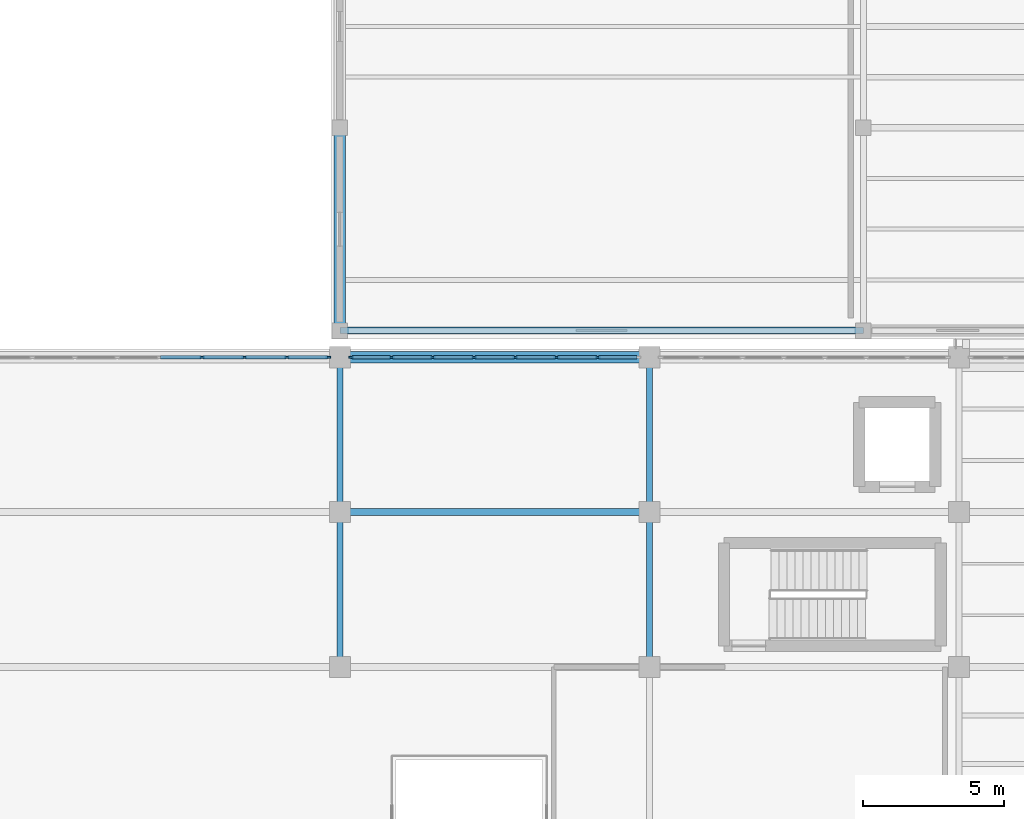
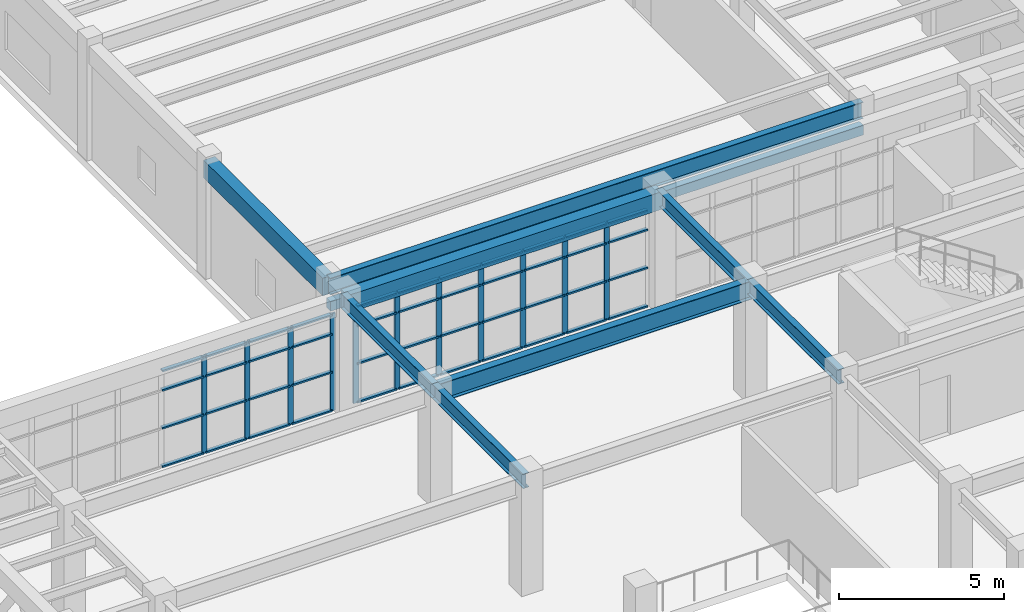
# One storey, part 43 of 85: 55 members, 9 beams, 2 elements without a shape of their own.
"""IFC4 building model written with IfcOpenShell, lengths in metres."""

from ifc_helpers import new_model, si_unit, direction, frame, origin, origin_2d, place, context, subcontext, project, spatial, rectangle, i_section, extrude, material, layer, layer_set, material_profile, profile_set, type_object, element, aggregate, save


model = new_model("IFC4")

# Units and contexts
model_context = context("Model", 3, precision=1e-05, world=origin(), true_north=direction((0.0, 1.0)))
body_context = subcontext(model_context, "Body", "Model", "MODEL_VIEW")
ifc_project = project(units=[si_unit("LENGTHUNIT", "METRE"), si_unit("AREAUNIT", "SQUARE_METRE"), si_unit("VOLUMEUNIT", "CUBIC_METRE"), si_unit("PLANEANGLEUNIT", "RADIAN"), si_unit("MASSUNIT", "GRAM", prefix="KILO")], contexts=[model_context])

# Site, building, storey
site_placement = place(None, origin())
site = spatial("IfcSite", under=ifc_project, at=site_placement, CompositionType="ELEMENT")
building_placement = place(site_placement, origin())
building = spatial("IfcBuilding", under=site, at=building_placement, Name="Candilejo Ridge Gondola Terminal", CompositionType="ELEMENT")
storey_placement = place(building_placement, frame((0.0, 0.0, 4.5)))
storey = spatial("IfcBuildingStorey", under=building, at=storey_placement, Name="L01", CompositionType="ELEMENT", Elevation=4.5)

# Curtain wall, members
ifc_material_1 = material(Name="Anodised aluminium AA 6063-T6", Category="aluminium")
ifc_layer_1 = layer(ifc_material_1, 0.169921875)
ifc_layer_set_1 = layer_set([ifc_layer_1], Name="ARC-CW-HALL-3800-1205X359")
curtain_wall_type_1 = type_object("IfcCurtainWallType", Name="ARC-CW-HALL-3800-1205X359", PredefinedType="NOTDEFINED", material=ifc_layer_set_1)
curtain_wall_1_placement = place(storey_placement, origin())
curtain_wall_1 = element("IfcCurtainWall", 1, at=curtain_wall_1_placement, inside=storey, type_object=curtain_wall_type_1, Name="Curtain wall V4 L01-125", PredefinedType="NOTDEFINED")
ifc_material_2 = material(Name="Anodised aluminium AA 6063-T6", Category="aluminium")
ifc_material_profile_1 = material_profile(ifc_material_2, rectangle(XDim=0.06494140625, YDim=0.179931640625, at=origin_2d()))
ifc_profile_set_1 = profile_set([ifc_material_profile_1], Name="Anodised aluminium AA 6063-T6")
member_type_1 = type_object("IfcMemberType", Name="ARC-CW-MULLION-180", PredefinedType="MULLION", material=ifc_profile_set_1)
member_1_placement = place(storey_placement, frame((145.106201171875, 47.699951171875, 0.0), z_axis=(0.0, 0.0, 1.0), x_axis=(0.0, 1.0, 0.0)))
member_1 = element("IfcMember", 2, at=member_1_placement, type_object=member_type_1, Name="CW-120X35 mullion 6", PredefinedType="MULLION", context=body_context, shape_type="SweptSolid", body=[
    extrude(rectangle(XDim=0.06494140625, YDim=0.179931640625, at=origin_2d()), origin(), (0.0, 0.0, 1.0), 3.590087890625),
])
member_2_placement = place(storey_placement, frame((146.612548828125, 47.699951171875, 0.0), z_axis=(0.0, 0.0, 1.0), x_axis=(0.0, 1.0, 0.0)))
member_2 = element("IfcMember", 3, at=member_2_placement, type_object=member_type_1, Name="CW-120X35 mullion 7", PredefinedType="MULLION", context=body_context, shape_type="SweptSolid", body=[
    extrude(rectangle(XDim=0.06494140625, YDim=0.179931640625, at=origin_2d()), origin(), (0.0, 0.0, 1.0), 3.590087890625),
])
member_3_placement = place(storey_placement, frame((148.11865234375, 47.699951171875, 0.0), z_axis=(0.0, 0.0, 1.0), x_axis=(0.0, 1.0, 0.0)))
member_3 = element("IfcMember", 4, at=member_3_placement, type_object=member_type_1, Name="CW-120X35 mullion 8", PredefinedType="MULLION", context=body_context, shape_type="SweptSolid", body=[
    extrude(rectangle(XDim=0.06494140625, YDim=0.179931640625, at=origin_2d()), origin(), (0.0, 0.0, 1.0), 3.590087890625),
])
member_4_placement = place(storey_placement, frame((149.592529296875, 47.699951171875, 0.0), z_axis=(0.0, 0.0, 1.0), x_axis=(0.0, 1.0, 0.0)))
member_4 = element("IfcMember", 5, at=member_4_placement, type_object=member_type_1, Name="CW-120X35 mullion 9", PredefinedType="MULLION", context=body_context, shape_type="SweptSolid", body=[
    extrude(rectangle(XDim=0.06494140625, YDim=0.179931640625, at=origin_2d()), origin(), (0.0, 0.0, 1.0), 3.590087890625),
])

ifc_material_3 = material(Name="Anodised aluminium AA 6063-T6", Category="aluminium")
ifc_layer_2 = layer(ifc_material_3, 0.169921875)
ifc_layer_set_2 = layer_set([ifc_layer_2], Name="ARC-CW-HALL-3800-1025X359")
curtain_wall_type_2 = type_object("IfcCurtainWallType", Name="ARC-CW-HALL-3800-1025X359", PredefinedType="NOTDEFINED", material=ifc_layer_set_2)
curtain_wall_2_placement = place(storey_placement, origin())
curtain_wall_2 = element("IfcCurtainWall", 6, at=curtain_wall_2_placement, inside=storey, type_object=curtain_wall_type_2, Name="Curtain wall V4 L01-127", PredefinedType="NOTDEFINED")
member_5_placement = place(storey_placement, frame((150.407470703125, 47.699951171875, 0.0), z_axis=(0.0, 0.0, 1.0), x_axis=(0.0, 1.0, 0.0)))
member_5 = element("IfcMember", 7, at=member_5_placement, type_object=member_type_1, Name="CW-102X35 mullion 1", PredefinedType="MULLION", context=body_context, shape_type="SweptSolid", body=[
    extrude(rectangle(XDim=0.06494140625, YDim=0.179931640625, at=origin_2d()), origin(), (0.0, 0.0, 1.0), 3.590087890625),
])
member_6_placement = place(storey_placement, frame((151.83935546875, 47.699951171875, 0.0), z_axis=(0.0, 0.0, 1.0), x_axis=(0.0, 1.0, 0.0)))
member_6 = element("IfcMember", 8, at=member_6_placement, type_object=member_type_1, Name="CW-102X35 mullion 2", PredefinedType="MULLION", context=body_context, shape_type="SweptSolid", body=[
    extrude(rectangle(XDim=0.06494140625, YDim=0.179931640625, at=origin_2d()), origin(), (0.0, 0.0, 1.0), 3.590087890625),
])
member_7_placement = place(storey_placement, frame((153.303466796875, 47.699951171875, 0.0), z_axis=(0.0, 0.0, 1.0), x_axis=(0.0, 1.0, 0.0)))
member_7 = element("IfcMember", 9, at=member_7_placement, type_object=member_type_1, Name="CW-102X35 mullion 3", PredefinedType="MULLION", context=body_context, shape_type="SweptSolid", body=[
    extrude(rectangle(XDim=0.06494140625, YDim=0.179931640625, at=origin_2d()), origin(), (0.0, 0.0, 1.0), 3.590087890625),
])
member_8_placement = place(storey_placement, frame((154.767822265625, 47.699951171875, 0.0), z_axis=(0.0, 0.0, 1.0), x_axis=(0.0, 1.0, 0.0)))
member_8 = element("IfcMember", 10, at=member_8_placement, type_object=member_type_1, Name="CW-102X35 mullion 4", PredefinedType="MULLION", context=body_context, shape_type="SweptSolid", body=[
    extrude(rectangle(XDim=0.06494140625, YDim=0.179931640625, at=origin_2d()), origin(), (0.0, 0.0, 1.0), 3.590087890625),
])
member_9_placement = place(storey_placement, frame((156.232177734375, 47.699951171875, 0.0), z_axis=(0.0, 0.0, 1.0), x_axis=(0.0, 1.0, 0.0)))
member_9 = element("IfcMember", 11, at=member_9_placement, type_object=member_type_1, Name="CW-102X35 mullion 5", PredefinedType="MULLION", context=body_context, shape_type="SweptSolid", body=[
    extrude(rectangle(XDim=0.06494140625, YDim=0.179931640625, at=origin_2d()), origin(), (0.0, 0.0, 1.0), 3.590087890625),
])
member_10_placement = place(storey_placement, frame((157.696533203125, 47.699951171875, 0.0), z_axis=(0.0, 0.0, 1.0), x_axis=(0.0, 1.0, 0.0)))
member_10 = element("IfcMember", 12, at=member_10_placement, type_object=member_type_1, Name="CW-102X35 mullion 6", PredefinedType="MULLION", context=body_context, shape_type="SweptSolid", body=[
    extrude(rectangle(XDim=0.06494140625, YDim=0.179931640625, at=origin_2d()), origin(), (0.0, 0.0, 1.0), 3.590087890625),
])
member_11_placement = place(storey_placement, frame((159.16064453125, 47.699951171875, 0.0), z_axis=(0.0, 0.0, 1.0), x_axis=(0.0, 1.0, 0.0)))
member_11 = element("IfcMember", 13, at=member_11_placement, type_object=member_type_1, Name="CW-102X35 mullion 7", PredefinedType="MULLION", context=body_context, shape_type="SweptSolid", body=[
    extrude(rectangle(XDim=0.06494140625, YDim=0.179931640625, at=origin_2d()), origin(), (0.0, 0.0, 1.0), 3.590087890625),
])

# Member
ifc_material_4 = material(Name="Anodised aluminium AA 6063-T6", Category="aluminium")
ifc_material_profile_2 = material_profile(ifc_material_4, rectangle(XDim=0.1298828125, YDim=0.06005859375, at=origin_2d()))
ifc_profile_set_2 = profile_set([ifc_material_profile_2], Name="Anodised aluminium AA 6063-T6")
member_type_2 = type_object("IfcMemberType", Name="ARC-CW-TRANSOM-130", PredefinedType="USERDEFINED", material=ifc_profile_set_2)
member_12_placement = place(storey_placement, frame((143.632568359375, 47.699951171875, 0.030029296875), z_axis=(1.0, 0.0, 0.0), x_axis=(0.0, 1.0, 0.0)))
member_12 = element("IfcMember", 14, at=member_12_placement, type_object=member_type_2, Name="CW-120X35 transom 5.1", ObjectType="TRANSOM", PredefinedType="USERDEFINED", context=body_context, shape_type="SweptSolid", body=[
    extrude(rectangle(XDim=0.1298828125, YDim=0.06005859375, at=origin_2d()), origin(), (0.0, 0.0, 1.0), 1.441162109375),
])

member_13_placement = place(storey_placement, frame((143.632568359375, 47.699951171875, 1.449951171875), z_axis=(1.0, 0.0, 0.0), x_axis=(0.0, 1.0, 0.0)))
member_13 = element("IfcMember", 15, at=member_13_placement, type_object=member_type_2, Name="CW-120X35 transom 5.2", ObjectType="TRANSOM", PredefinedType="USERDEFINED", context=body_context, shape_type="SweptSolid", body=[
    extrude(rectangle(XDim=0.1298828125, YDim=0.06005859375, at=origin_2d()), origin(), (0.0, 0.0, 1.0), 1.441162109375),
])

member_14_placement = place(storey_placement, frame((143.632568359375, 47.699951171875, 2.85009765625), z_axis=(1.0, 0.0, 0.0), x_axis=(0.0, 1.0, 0.0)))
member_14 = element("IfcMember", 16, at=member_14_placement, type_object=member_type_2, Name="CW-120X35 transom 5.3", ObjectType="TRANSOM", PredefinedType="USERDEFINED", context=body_context, shape_type="SweptSolid", body=[
    extrude(rectangle(XDim=0.1298828125, YDim=0.06005859375, at=origin_2d()), origin(), (0.0, 0.0, 1.0), 1.441162109375),
])

member_15_placement = place(storey_placement, frame((143.632568359375, 47.699951171875, 3.56005859375), z_axis=(1.0, 0.0, 0.0), x_axis=(0.0, 1.0, 0.0)))
member_15 = element("IfcMember", 17, at=member_15_placement, type_object=member_type_2, Name="CW-120X35 transom 5.4", ObjectType="TRANSOM", PredefinedType="USERDEFINED", context=body_context, shape_type="SweptSolid", body=[
    extrude(rectangle(XDim=0.1298828125, YDim=0.06005859375, at=origin_2d()), origin(), (0.0, 0.0, 1.0), 1.441162109375),
])

member_16_placement = place(storey_placement, frame((145.138671875, 47.699951171875, 0.030029296875), z_axis=(1.0, 0.0, 0.0), x_axis=(0.0, 1.0, 0.0)))
member_16 = element("IfcMember", 18, at=member_16_placement, type_object=member_type_2, Name="CW-120X35 transom 6.1", ObjectType="TRANSOM", PredefinedType="USERDEFINED", context=body_context, shape_type="SweptSolid", body=[
    extrude(rectangle(XDim=0.1298828125, YDim=0.06005859375, at=origin_2d()), origin(), (0.0, 0.0, 1.0), 1.44140625),
])

member_17_placement = place(storey_placement, frame((145.138671875, 47.699951171875, 1.449951171875), z_axis=(1.0, 0.0, 0.0), x_axis=(0.0, 1.0, 0.0)))
member_17 = element("IfcMember", 19, at=member_17_placement, type_object=member_type_2, Name="CW-120X35 transom 6.2", ObjectType="TRANSOM", PredefinedType="USERDEFINED", context=body_context, shape_type="SweptSolid", body=[
    extrude(rectangle(XDim=0.1298828125, YDim=0.06005859375, at=origin_2d()), origin(), (0.0, 0.0, 1.0), 1.44140625),
])

member_18_placement = place(storey_placement, frame((145.138671875, 47.699951171875, 2.85009765625), z_axis=(1.0, 0.0, 0.0), x_axis=(0.0, 1.0, 0.0)))
member_18 = element("IfcMember", 20, at=member_18_placement, type_object=member_type_2, Name="CW-120X35 transom 6.3", ObjectType="TRANSOM", PredefinedType="USERDEFINED", context=body_context, shape_type="SweptSolid", body=[
    extrude(rectangle(XDim=0.1298828125, YDim=0.06005859375, at=origin_2d()), origin(), (0.0, 0.0, 1.0), 1.44140625),
])

member_19_placement = place(storey_placement, frame((145.138671875, 47.699951171875, 3.56005859375), z_axis=(1.0, 0.0, 0.0), x_axis=(0.0, 1.0, 0.0)))
member_19 = element("IfcMember", 21, at=member_19_placement, type_object=member_type_2, Name="CW-120X35 transom 6.4", ObjectType="TRANSOM", PredefinedType="USERDEFINED", context=body_context, shape_type="SweptSolid", body=[
    extrude(rectangle(XDim=0.1298828125, YDim=0.06005859375, at=origin_2d()), origin(), (0.0, 0.0, 1.0), 1.44140625),
])

member_20_placement = place(storey_placement, frame((146.64501953125, 47.699951171875, 0.030029296875), z_axis=(1.0, 0.0, 0.0), x_axis=(0.0, 1.0, 0.0)))
member_20 = element("IfcMember", 22, at=member_20_placement, type_object=member_type_2, Name="CW-120X35 transom 7.1", ObjectType="TRANSOM", PredefinedType="USERDEFINED", context=body_context, shape_type="SweptSolid", body=[
    extrude(rectangle(XDim=0.1298828125, YDim=0.06005859375, at=origin_2d()), origin(), (0.0, 0.0, 1.0), 1.441162109375),
])

member_21_placement = place(storey_placement, frame((146.64501953125, 47.699951171875, 1.449951171875), z_axis=(1.0, 0.0, 0.0), x_axis=(0.0, 1.0, 0.0)))
member_21 = element("IfcMember", 23, at=member_21_placement, type_object=member_type_2, Name="CW-120X35 transom 7.2", ObjectType="TRANSOM", PredefinedType="USERDEFINED", context=body_context, shape_type="SweptSolid", body=[
    extrude(rectangle(XDim=0.1298828125, YDim=0.06005859375, at=origin_2d()), origin(), (0.0, 0.0, 1.0), 1.441162109375),
])

member_22_placement = place(storey_placement, frame((146.64501953125, 47.699951171875, 2.85009765625), z_axis=(1.0, 0.0, 0.0), x_axis=(0.0, 1.0, 0.0)))
member_22 = element("IfcMember", 24, at=member_22_placement, type_object=member_type_2, Name="CW-120X35 transom 7.3", ObjectType="TRANSOM", PredefinedType="USERDEFINED", context=body_context, shape_type="SweptSolid", body=[
    extrude(rectangle(XDim=0.1298828125, YDim=0.06005859375, at=origin_2d()), origin(), (0.0, 0.0, 1.0), 1.441162109375),
])

member_23_placement = place(storey_placement, frame((146.64501953125, 47.699951171875, 3.56005859375), z_axis=(1.0, 0.0, 0.0), x_axis=(0.0, 1.0, 0.0)))
member_23 = element("IfcMember", 25, at=member_23_placement, type_object=member_type_2, Name="CW-120X35 transom 7.4", ObjectType="TRANSOM", PredefinedType="USERDEFINED", context=body_context, shape_type="SweptSolid", body=[
    extrude(rectangle(XDim=0.1298828125, YDim=0.06005859375, at=origin_2d()), origin(), (0.0, 0.0, 1.0), 1.441162109375),
])

member_24_placement = place(storey_placement, frame((148.1513671875, 47.699951171875, 0.030029296875), z_axis=(1.0, 0.0, 0.0), x_axis=(0.0, 1.0, 0.0)))
member_24 = element("IfcMember", 26, at=member_24_placement, type_object=member_type_2, Name="CW-120X35 transom 8.1", ObjectType="TRANSOM", PredefinedType="USERDEFINED", context=body_context, shape_type="SweptSolid", body=[
    extrude(rectangle(XDim=0.1298828125, YDim=0.06005859375, at=origin_2d()), origin(), (0.0, 0.0, 1.0), 1.40869140625),
])

member_25_placement = place(storey_placement, frame((148.1513671875, 47.699951171875, 1.449951171875), z_axis=(1.0, 0.0, 0.0), x_axis=(0.0, 1.0, 0.0)))
member_25 = element("IfcMember", 27, at=member_25_placement, type_object=member_type_2, Name="CW-120X35 transom 8.2", ObjectType="TRANSOM", PredefinedType="USERDEFINED", context=body_context, shape_type="SweptSolid", body=[
    extrude(rectangle(XDim=0.1298828125, YDim=0.06005859375, at=origin_2d()), origin(), (0.0, 0.0, 1.0), 1.40869140625),
])

member_26_placement = place(storey_placement, frame((148.1513671875, 47.699951171875, 2.85009765625), z_axis=(1.0, 0.0, 0.0), x_axis=(0.0, 1.0, 0.0)))
member_26 = element("IfcMember", 28, at=member_26_placement, type_object=member_type_2, Name="CW-120X35 transom 8.3", ObjectType="TRANSOM", PredefinedType="USERDEFINED", context=body_context, shape_type="SweptSolid", body=[
    extrude(rectangle(XDim=0.1298828125, YDim=0.06005859375, at=origin_2d()), origin(), (0.0, 0.0, 1.0), 1.40869140625),
])

member_27_placement = place(storey_placement, frame((148.1513671875, 47.699951171875, 3.56005859375), z_axis=(1.0, 0.0, 0.0), x_axis=(0.0, 1.0, 0.0)))
member_27 = element("IfcMember", 29, at=member_27_placement, type_object=member_type_2, Name="CW-120X35 transom 8.4", ObjectType="TRANSOM", PredefinedType="USERDEFINED", context=body_context, shape_type="SweptSolid", body=[
    extrude(rectangle(XDim=0.1298828125, YDim=0.06005859375, at=origin_2d()), origin(), (0.0, 0.0, 1.0), 1.40869140625),
])

aggregate(curtain_wall_1, [member_1, member_2, member_3, member_4, member_12, member_13, member_14, member_15, member_16, member_17, member_18, member_19, member_20, member_21, member_22, member_23, member_24, member_25, member_26, member_27])

member_28_placement = place(storey_placement, frame((150.43994140625, 47.699951171875, 0.030029296875), z_axis=(1.0, 0.0, 0.0), x_axis=(0.0, 1.0, 0.0)))
member_28 = element("IfcMember", 30, at=member_28_placement, type_object=member_type_2, Name="CW-102X35 transom 1.1", ObjectType="TRANSOM", PredefinedType="USERDEFINED", context=body_context, shape_type="SweptSolid", body=[
    extrude(rectangle(XDim=0.1298828125, YDim=0.06005859375, at=origin_2d()), origin(), (0.0, 0.0, 1.0), 1.366943359375),
])

member_29_placement = place(storey_placement, frame((150.43994140625, 47.699951171875, 1.449951171875), z_axis=(1.0, 0.0, 0.0), x_axis=(0.0, 1.0, 0.0)))
member_29 = element("IfcMember", 31, at=member_29_placement, type_object=member_type_2, Name="CW-102X35 transom 1.2", ObjectType="TRANSOM", PredefinedType="USERDEFINED", context=body_context, shape_type="SweptSolid", body=[
    extrude(rectangle(XDim=0.1298828125, YDim=0.06005859375, at=origin_2d()), origin(), (0.0, 0.0, 1.0), 1.366943359375),
])

member_30_placement = place(storey_placement, frame((150.43994140625, 47.699951171875, 2.85009765625), z_axis=(1.0, 0.0, 0.0), x_axis=(0.0, 1.0, 0.0)))
member_30 = element("IfcMember", 32, at=member_30_placement, type_object=member_type_2, Name="CW-102X35 transom 1.3", ObjectType="TRANSOM", PredefinedType="USERDEFINED", context=body_context, shape_type="SweptSolid", body=[
    extrude(rectangle(XDim=0.1298828125, YDim=0.06005859375, at=origin_2d()), origin(), (0.0, 0.0, 1.0), 1.366943359375),
])

member_31_placement = place(storey_placement, frame((150.43994140625, 47.699951171875, 3.56005859375), z_axis=(1.0, 0.0, 0.0), x_axis=(0.0, 1.0, 0.0)))
member_31 = element("IfcMember", 33, at=member_31_placement, type_object=member_type_2, Name="CW-102X35 transom 1.4", ObjectType="TRANSOM", PredefinedType="USERDEFINED", context=body_context, shape_type="SweptSolid", body=[
    extrude(rectangle(XDim=0.1298828125, YDim=0.06005859375, at=origin_2d()), origin(), (0.0, 0.0, 1.0), 1.366943359375),
])

member_32_placement = place(storey_placement, frame((151.871826171875, 47.699951171875, 0.030029296875), z_axis=(1.0, 0.0, 0.0), x_axis=(0.0, 1.0, 0.0)))
member_32 = element("IfcMember", 34, at=member_32_placement, type_object=member_type_2, Name="CW-102X35 transom 2.1", ObjectType="TRANSOM", PredefinedType="USERDEFINED", context=body_context, shape_type="SweptSolid", body=[
    extrude(rectangle(XDim=0.1298828125, YDim=0.06005859375, at=origin_2d()), origin(), (0.0, 0.0, 1.0), 1.399169921875),
])

member_33_placement = place(storey_placement, frame((151.871826171875, 47.699951171875, 1.449951171875), z_axis=(1.0, 0.0, 0.0), x_axis=(0.0, 1.0, 0.0)))
member_33 = element("IfcMember", 35, at=member_33_placement, type_object=member_type_2, Name="CW-102X35 transom 2.2", ObjectType="TRANSOM", PredefinedType="USERDEFINED", context=body_context, shape_type="SweptSolid", body=[
    extrude(rectangle(XDim=0.1298828125, YDim=0.06005859375, at=origin_2d()), origin(), (0.0, 0.0, 1.0), 1.399169921875),
])

member_34_placement = place(storey_placement, frame((151.871826171875, 47.699951171875, 2.85009765625), z_axis=(1.0, 0.0, 0.0), x_axis=(0.0, 1.0, 0.0)))
member_34 = element("IfcMember", 36, at=member_34_placement, type_object=member_type_2, Name="CW-102X35 transom 2.3", ObjectType="TRANSOM", PredefinedType="USERDEFINED", context=body_context, shape_type="SweptSolid", body=[
    extrude(rectangle(XDim=0.1298828125, YDim=0.06005859375, at=origin_2d()), origin(), (0.0, 0.0, 1.0), 1.399169921875),
])

member_35_placement = place(storey_placement, frame((151.871826171875, 47.699951171875, 3.56005859375), z_axis=(1.0, 0.0, 0.0), x_axis=(0.0, 1.0, 0.0)))
member_35 = element("IfcMember", 37, at=member_35_placement, type_object=member_type_2, Name="CW-102X35 transom 2.4", ObjectType="TRANSOM", PredefinedType="USERDEFINED", context=body_context, shape_type="SweptSolid", body=[
    extrude(rectangle(XDim=0.1298828125, YDim=0.06005859375, at=origin_2d()), origin(), (0.0, 0.0, 1.0), 1.399169921875),
])

member_36_placement = place(storey_placement, frame((153.336181640625, 47.699951171875, 0.030029296875), z_axis=(1.0, 0.0, 0.0), x_axis=(0.0, 1.0, 0.0)))
member_36 = element("IfcMember", 38, at=member_36_placement, type_object=member_type_2, Name="CW-102X35 transom 3.1", ObjectType="TRANSOM", PredefinedType="USERDEFINED", context=body_context, shape_type="SweptSolid", body=[
    extrude(rectangle(XDim=0.1298828125, YDim=0.06005859375, at=origin_2d()), origin(), (0.0, 0.0, 1.0), 1.399169921875),
])

member_37_placement = place(storey_placement, frame((153.336181640625, 47.699951171875, 1.449951171875), z_axis=(1.0, 0.0, 0.0), x_axis=(0.0, 1.0, 0.0)))
member_37 = element("IfcMember", 39, at=member_37_placement, type_object=member_type_2, Name="CW-102X35 transom 3.2", ObjectType="TRANSOM", PredefinedType="USERDEFINED", context=body_context, shape_type="SweptSolid", body=[
    extrude(rectangle(XDim=0.1298828125, YDim=0.06005859375, at=origin_2d()), origin(), (0.0, 0.0, 1.0), 1.399169921875),
])

member_38_placement = place(storey_placement, frame((153.336181640625, 47.699951171875, 2.85009765625), z_axis=(1.0, 0.0, 0.0), x_axis=(0.0, 1.0, 0.0)))
member_38 = element("IfcMember", 40, at=member_38_placement, type_object=member_type_2, Name="CW-102X35 transom 3.3", ObjectType="TRANSOM", PredefinedType="USERDEFINED", context=body_context, shape_type="SweptSolid", body=[
    extrude(rectangle(XDim=0.1298828125, YDim=0.06005859375, at=origin_2d()), origin(), (0.0, 0.0, 1.0), 1.399169921875),
])

member_39_placement = place(storey_placement, frame((153.336181640625, 47.699951171875, 3.56005859375), z_axis=(1.0, 0.0, 0.0), x_axis=(0.0, 1.0, 0.0)))
member_39 = element("IfcMember", 41, at=member_39_placement, type_object=member_type_2, Name="CW-102X35 transom 3.4", ObjectType="TRANSOM", PredefinedType="USERDEFINED", context=body_context, shape_type="SweptSolid", body=[
    extrude(rectangle(XDim=0.1298828125, YDim=0.06005859375, at=origin_2d()), origin(), (0.0, 0.0, 1.0), 1.399169921875),
])

member_40_placement = place(storey_placement, frame((154.80029296875, 47.699951171875, 0.030029296875), z_axis=(1.0, 0.0, 0.0), x_axis=(0.0, 1.0, 0.0)))
member_40 = element("IfcMember", 42, at=member_40_placement, type_object=member_type_2, Name="CW-102X35 transom 4.1", ObjectType="TRANSOM", PredefinedType="USERDEFINED", context=body_context, shape_type="SweptSolid", body=[
    extrude(rectangle(XDim=0.1298828125, YDim=0.06005859375, at=origin_2d()), origin(), (0.0, 0.0, 1.0), 1.3994140625),
])

member_41_placement = place(storey_placement, frame((154.80029296875, 47.699951171875, 1.449951171875), z_axis=(1.0, 0.0, 0.0), x_axis=(0.0, 1.0, 0.0)))
member_41 = element("IfcMember", 43, at=member_41_placement, type_object=member_type_2, Name="CW-102X35 transom 4.2", ObjectType="TRANSOM", PredefinedType="USERDEFINED", context=body_context, shape_type="SweptSolid", body=[
    extrude(rectangle(XDim=0.1298828125, YDim=0.06005859375, at=origin_2d()), origin(), (0.0, 0.0, 1.0), 1.3994140625),
])

member_42_placement = place(storey_placement, frame((154.80029296875, 47.699951171875, 2.85009765625), z_axis=(1.0, 0.0, 0.0), x_axis=(0.0, 1.0, 0.0)))
member_42 = element("IfcMember", 44, at=member_42_placement, type_object=member_type_2, Name="CW-102X35 transom 4.3", ObjectType="TRANSOM", PredefinedType="USERDEFINED", context=body_context, shape_type="SweptSolid", body=[
    extrude(rectangle(XDim=0.1298828125, YDim=0.06005859375, at=origin_2d()), origin(), (0.0, 0.0, 1.0), 1.3994140625),
])

member_43_placement = place(storey_placement, frame((154.80029296875, 47.699951171875, 3.56005859375), z_axis=(1.0, 0.0, 0.0), x_axis=(0.0, 1.0, 0.0)))
member_43 = element("IfcMember", 45, at=member_43_placement, type_object=member_type_2, Name="CW-102X35 transom 4.4", ObjectType="TRANSOM", PredefinedType="USERDEFINED", context=body_context, shape_type="SweptSolid", body=[
    extrude(rectangle(XDim=0.1298828125, YDim=0.06005859375, at=origin_2d()), origin(), (0.0, 0.0, 1.0), 1.3994140625),
])

member_44_placement = place(storey_placement, frame((156.2646484375, 47.699951171875, 0.030029296875), z_axis=(1.0, 0.0, 0.0), x_axis=(0.0, 1.0, 0.0)))
member_44 = element("IfcMember", 46, at=member_44_placement, type_object=member_type_2, Name="CW-102X35 transom 5.1", ObjectType="TRANSOM", PredefinedType="USERDEFINED", context=body_context, shape_type="SweptSolid", body=[
    extrude(rectangle(XDim=0.1298828125, YDim=0.06005859375, at=origin_2d()), origin(), (0.0, 0.0, 1.0), 1.399169921875),
])

member_45_placement = place(storey_placement, frame((156.2646484375, 47.699951171875, 1.449951171875), z_axis=(1.0, 0.0, 0.0), x_axis=(0.0, 1.0, 0.0)))
member_45 = element("IfcMember", 47, at=member_45_placement, type_object=member_type_2, Name="CW-102X35 transom 5.2", ObjectType="TRANSOM", PredefinedType="USERDEFINED", context=body_context, shape_type="SweptSolid", body=[
    extrude(rectangle(XDim=0.1298828125, YDim=0.06005859375, at=origin_2d()), origin(), (0.0, 0.0, 1.0), 1.399169921875),
])

member_46_placement = place(storey_placement, frame((156.2646484375, 47.699951171875, 2.85009765625), z_axis=(1.0, 0.0, 0.0), x_axis=(0.0, 1.0, 0.0)))
member_46 = element("IfcMember", 48, at=member_46_placement, type_object=member_type_2, Name="CW-102X35 transom 5.3", ObjectType="TRANSOM", PredefinedType="USERDEFINED", context=body_context, shape_type="SweptSolid", body=[
    extrude(rectangle(XDim=0.1298828125, YDim=0.06005859375, at=origin_2d()), origin(), (0.0, 0.0, 1.0), 1.399169921875),
])

member_47_placement = place(storey_placement, frame((156.2646484375, 47.699951171875, 3.56005859375), z_axis=(1.0, 0.0, 0.0), x_axis=(0.0, 1.0, 0.0)))
member_47 = element("IfcMember", 49, at=member_47_placement, type_object=member_type_2, Name="CW-102X35 transom 5.4", ObjectType="TRANSOM", PredefinedType="USERDEFINED", context=body_context, shape_type="SweptSolid", body=[
    extrude(rectangle(XDim=0.1298828125, YDim=0.06005859375, at=origin_2d()), origin(), (0.0, 0.0, 1.0), 1.399169921875),
])

member_48_placement = place(storey_placement, frame((157.72900390625, 47.699951171875, 0.030029296875), z_axis=(1.0, 0.0, 0.0), x_axis=(0.0, 1.0, 0.0)))
member_48 = element("IfcMember", 50, at=member_48_placement, type_object=member_type_2, Name="CW-102X35 transom 6.1", ObjectType="TRANSOM", PredefinedType="USERDEFINED", context=body_context, shape_type="SweptSolid", body=[
    extrude(rectangle(XDim=0.1298828125, YDim=0.06005859375, at=origin_2d()), origin(), (0.0, 0.0, 1.0), 1.399169921875),
])

member_49_placement = place(storey_placement, frame((157.72900390625, 47.699951171875, 1.449951171875), z_axis=(1.0, 0.0, 0.0), x_axis=(0.0, 1.0, 0.0)))
member_49 = element("IfcMember", 51, at=member_49_placement, type_object=member_type_2, Name="CW-102X35 transom 6.2", ObjectType="TRANSOM", PredefinedType="USERDEFINED", context=body_context, shape_type="SweptSolid", body=[
    extrude(rectangle(XDim=0.1298828125, YDim=0.06005859375, at=origin_2d()), origin(), (0.0, 0.0, 1.0), 1.399169921875),
])

member_50_placement = place(storey_placement, frame((157.72900390625, 47.699951171875, 2.85009765625), z_axis=(1.0, 0.0, 0.0), x_axis=(0.0, 1.0, 0.0)))
member_50 = element("IfcMember", 52, at=member_50_placement, type_object=member_type_2, Name="CW-102X35 transom 6.3", ObjectType="TRANSOM", PredefinedType="USERDEFINED", context=body_context, shape_type="SweptSolid", body=[
    extrude(rectangle(XDim=0.1298828125, YDim=0.06005859375, at=origin_2d()), origin(), (0.0, 0.0, 1.0), 1.399169921875),
])

member_51_placement = place(storey_placement, frame((157.72900390625, 47.699951171875, 3.56005859375), z_axis=(1.0, 0.0, 0.0), x_axis=(0.0, 1.0, 0.0)))
member_51 = element("IfcMember", 53, at=member_51_placement, type_object=member_type_2, Name="CW-102X35 transom 6.4", ObjectType="TRANSOM", PredefinedType="USERDEFINED", context=body_context, shape_type="SweptSolid", body=[
    extrude(rectangle(XDim=0.1298828125, YDim=0.06005859375, at=origin_2d()), origin(), (0.0, 0.0, 1.0), 1.399169921875),
])

member_52_placement = place(storey_placement, frame((159.193115234375, 47.699951171875, 0.030029296875), z_axis=(1.0, 0.0, 0.0), x_axis=(0.0, 1.0, 0.0)))
member_52 = element("IfcMember", 54, at=member_52_placement, type_object=member_type_2, Name="CW-102X35 transom 7.1", ObjectType="TRANSOM", PredefinedType="USERDEFINED", context=body_context, shape_type="SweptSolid", body=[
    extrude(rectangle(XDim=0.1298828125, YDim=0.06005859375, at=origin_2d()), origin(), (0.0, 0.0, 1.0), 1.366943359375),
])

member_53_placement = place(storey_placement, frame((159.193115234375, 47.699951171875, 1.449951171875), z_axis=(1.0, 0.0, 0.0), x_axis=(0.0, 1.0, 0.0)))
member_53 = element("IfcMember", 55, at=member_53_placement, type_object=member_type_2, Name="CW-102X35 transom 7.2", ObjectType="TRANSOM", PredefinedType="USERDEFINED", context=body_context, shape_type="SweptSolid", body=[
    extrude(rectangle(XDim=0.1298828125, YDim=0.06005859375, at=origin_2d()), origin(), (0.0, 0.0, 1.0), 1.366943359375),
])

member_54_placement = place(storey_placement, frame((159.193115234375, 47.699951171875, 2.85009765625), z_axis=(1.0, 0.0, 0.0), x_axis=(0.0, 1.0, 0.0)))
member_54 = element("IfcMember", 56, at=member_54_placement, type_object=member_type_2, Name="CW-102X35 transom 7.3", ObjectType="TRANSOM", PredefinedType="USERDEFINED", context=body_context, shape_type="SweptSolid", body=[
    extrude(rectangle(XDim=0.1298828125, YDim=0.06005859375, at=origin_2d()), origin(), (0.0, 0.0, 1.0), 1.366943359375),
])

member_55_placement = place(storey_placement, frame((159.193115234375, 47.699951171875, 3.56005859375), z_axis=(1.0, 0.0, 0.0), x_axis=(0.0, 1.0, 0.0)))
member_55 = element("IfcMember", 57, at=member_55_placement, type_object=member_type_2, Name="CW-102X35 transom 7.4", ObjectType="TRANSOM", PredefinedType="USERDEFINED", context=body_context, shape_type="SweptSolid", body=[
    extrude(rectangle(XDim=0.1298828125, YDim=0.06005859375, at=origin_2d()), origin(), (0.0, 0.0, 1.0), 1.366943359375),
])

aggregate(curtain_wall_2, [member_5, member_6, member_7, member_8, member_9, member_10, member_11, member_28, member_29, member_30, member_31, member_32, member_33, member_34, member_35, member_36, member_37, member_38, member_39, member_40, member_41, member_42, member_43, member_44, member_45, member_46, member_47, member_48, member_49, member_50, member_51, member_52, member_53, member_54, member_55])

# Beams
ifc_material_5 = material(Name="Steel ASTM A992 Grade 50", Category="steel")
ifc_material_profile_3 = material_profile(ifc_material_5, i_section(OverallWidth=0.2109375, OverallDepth=0.5390625, WebThickness=0.01171875, FlangeThickness=0.018798828125, at=origin_2d()))
ifc_profile_set_3 = profile_set([ifc_material_profile_3], Name="Steel ASTM A992 Grade 50")
beam_type_1 = type_object("IfcBeamType", Name="STR-BM-W530X109", PredefinedType="BEAM", material=ifc_profile_set_3)
for number, where, z_axis, x_axis, name in (
    (58, (150.0, 36.699951171875, 3.930419921875), (0.0, 1.0, 0.0), (-1.0, 0.0, 0.0), "Beam Y V4 L01 Y07-Y08@X23"),
    (59, (150.0, 42.199951171875, 3.930419921875), (0.0, 1.0, 0.0), (-1.0, 0.0, 0.0), "Beam Y V4 L01 Y08-Y09@X23"),
    (60, (161.0, 36.699951171875, 3.930419921875), (0.0, 1.0, 0.0), (-1.0, 0.0, 0.0), "Beam Y V4 L01 Y07-Y08@X24"),
    (61, (161.0, 42.199951171875, 3.930419921875), (0.0, 1.0, 0.0), (-1.0, 0.0, 0.0), "Beam Y V4 L01 Y08-Y09@X24"),
):
    element("IfcBeam", number, at=place(storey_placement, frame(where, z_axis=z_axis, x_axis=x_axis)), inside=storey, type_object=beam_type_1, Name=name, PredefinedType="BEAM", context=body_context, shape_type="SweptSolid", body=[
        extrude(i_section(OverallWidth=0.2109375, OverallDepth=0.5390625, WebThickness=0.01171875, FlangeThickness=0.018798828125, at=origin_2d()), origin(), (0.0, 0.0, 1.0), 5.5),
    ])
ifc_material_6 = material(Name="Steel ASTM A992 Grade 50", Category="steel")
ifc_material_profile_4 = material_profile(ifc_material_6, i_section(OverallWidth=0.22900390625, OverallDepth=0.612060546875, WebThickness=0.011962890625, FlangeThickness=0.01953125, at=origin_2d()))
ifc_profile_set_4 = profile_set([ifc_material_profile_4], Name="Steel ASTM A992 Grade 50")
beam_type_2 = type_object("IfcBeamType", Name="STR-BM-W610X125", PredefinedType="BEAM", material=ifc_profile_set_4)
beam_1_placement = place(storey_placement, frame((150.0, 48.64990234375, 3.908935546875), z_axis=(1.0, 0.0, 0.0), x_axis=(0.0, 1.0, 0.0)))
element("IfcBeam", 62, at=beam_1_placement, inside=storey, type_object=beam_type_2, Name="Beam X V5 L01 X23-X25@Y10", PredefinedType="BEAM", context=body_context, shape_type="SweptSolid", body=[
    extrude(i_section(OverallWidth=0.22900390625, OverallDepth=0.612060546875, WebThickness=0.011962890625, FlangeThickness=0.01953125, at=origin_2d()), origin(), (0.0, 0.0, 1.0), 18.60009765625),
])
ifc_material_7 = material(Name="Steel ASTM A992 Grade 50", Category="steel")
ifc_material_profile_5 = material_profile(ifc_material_7, i_section(OverallWidth=0.25390625, OverallDepth=0.68408203125, WebThickness=0.012451171875, FlangeThickness=0.018798828125, at=origin_2d()))
ifc_profile_set_5 = profile_set([ifc_material_profile_5], Name="Steel ASTM A992 Grade 50")
beam_type_3 = type_object("IfcBeamType", Name="STR-BM-W690X140", PredefinedType="BEAM", material=ifc_profile_set_5)
beam_2_placement = place(storey_placement, frame((150.0, 42.199951171875, 3.85791015625), z_axis=(1.0, 0.0, 0.0), x_axis=(0.0, 1.0, 0.0)))
element("IfcBeam", 63, at=beam_2_placement, inside=storey, type_object=beam_type_3, Name="Beam X V4 L01 X23-X24@Y08", PredefinedType="BEAM", context=body_context, shape_type="SweptSolid", body=[
    extrude(i_section(OverallWidth=0.25390625, OverallDepth=0.68408203125, WebThickness=0.012451171875, FlangeThickness=0.018798828125, at=origin_2d()), origin(), (0.0, 0.0, 1.0), 11.0),
])
ifc_material_8 = material(Name="Concrete f'c 35 MPa (C35/45)", Category="concrete")
ifc_material_profile_6 = material_profile(ifc_material_8, rectangle(XDim=0.25, YDim=0.35009765625, at=origin_2d()))
ifc_profile_set_6 = profile_set([ifc_material_profile_6], Name="Concrete f'c 35 MPa (C35/45)")
beam_type_4 = type_object("IfcBeamType", Name="STR-LNT-RC250X350", PredefinedType="LINTEL", material=ifc_profile_set_6)
beam_3_placement = place(storey_placement, frame((150.0, 48.64990234375, 3.179931640625), z_axis=(1.0, 0.0, 0.0), x_axis=(0.0, 1.0, 0.0)))
element("IfcBeam", 64, at=beam_3_placement, inside=storey, type_object=beam_type_4, Name="Opening lintel L01-11", PredefinedType="LINTEL", context=body_context, shape_type="SweptSolid", body=[
    extrude(rectangle(XDim=0.25, YDim=0.35009765625, at=origin_2d()), origin(), (0.0, 0.0, 1.0), 18.60009765625),
])
ifc_material_9 = material(Name="Concrete f'c 35 MPa (C35/45)", Category="concrete")
ifc_material_profile_7 = material_profile(ifc_material_9, rectangle(XDim=0.39990234375, YDim=0.64990234375, at=origin_2d()))
ifc_profile_set_7 = profile_set([ifc_material_profile_7], Name="Concrete f'c 35 MPa (C35/45)")
beam_type_5 = type_object("IfcBeamType", Name="STR-SPN-RC400X650", PredefinedType="SPANDREL", material=ifc_profile_set_7)
beam_4_placement = place(storey_placement, frame((150.0, 47.699951171875, 3.875), z_axis=(1.0, 0.0, 0.0), x_axis=(0.0, 1.0, 0.0)))
element("IfcBeam", 65, at=beam_4_placement, inside=storey, type_object=beam_type_5, Name="Beam X V4 L01 X23-X24@Y09", PredefinedType="SPANDREL", context=body_context, shape_type="SweptSolid", body=[
    extrude(rectangle(XDim=0.39990234375, YDim=0.64990234375, at=origin_2d()), origin(), (0.0, 0.0, 1.0), 11.0),
])
beam_5_placement = place(storey_placement, frame((150.0, 48.64990234375, 3.889892578125), z_axis=(0.0, 1.0, 0.0), x_axis=(-1.0, 0.0, 0.0)))
element("IfcBeam", 66, at=beam_5_placement, inside=storey, type_object=beam_type_5, Name="Beam Y V5 L01 Y10-Y11@X23", PredefinedType="SPANDREL", context=body_context, shape_type="SweptSolid", body=[
    extrude(rectangle(XDim=0.39990234375, YDim=0.64990234375, at=origin_2d()), origin(), (0.0, 0.0, 1.0), 7.2001953125),
])

save(model, "model.ifc")
